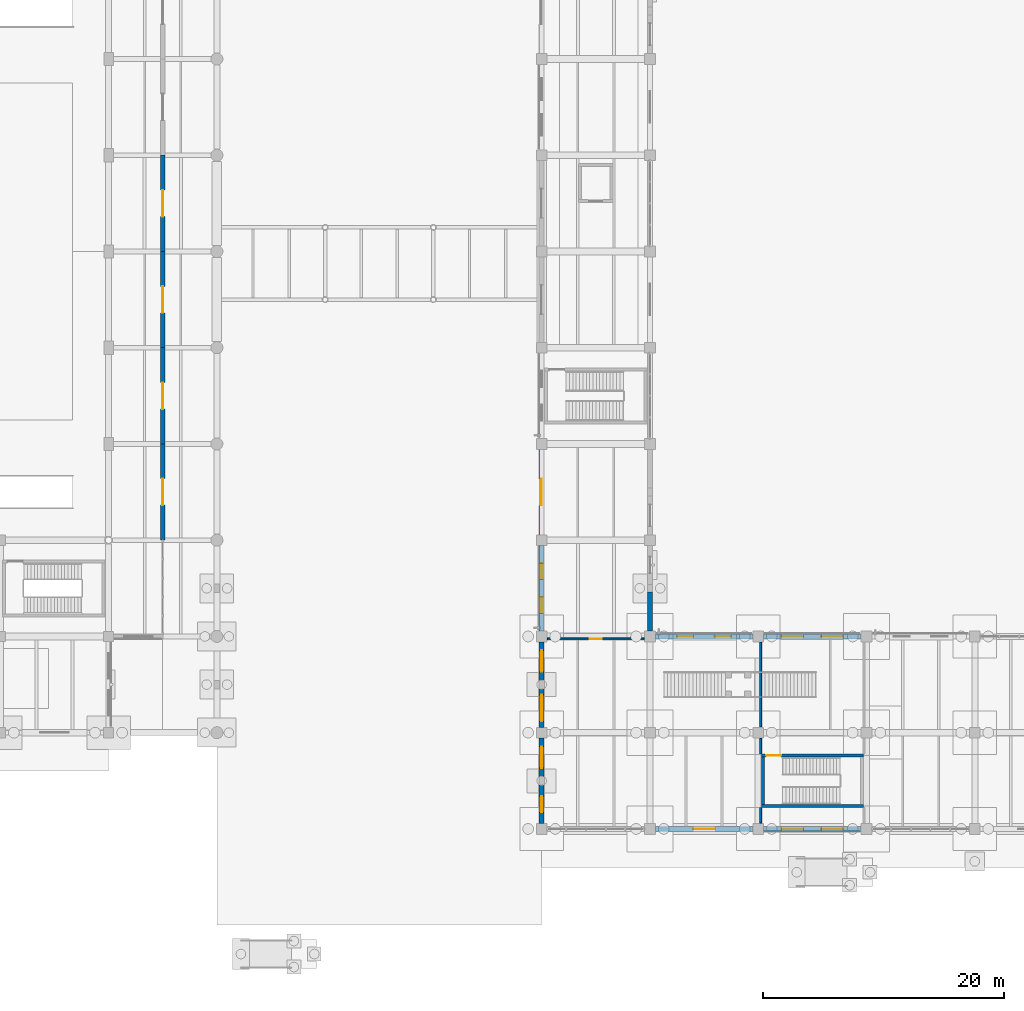
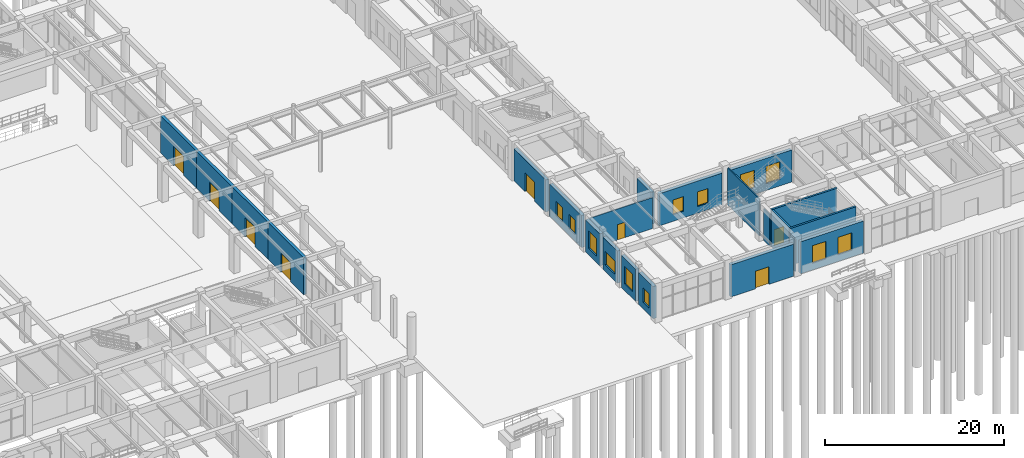
# One storey, part 91 of 121: 22 walls, 12 windows, 8 doors, 20 openings.
"""IFC4 building model written with IfcOpenShell, lengths in metres."""

from ifc_helpers import new_model, si_unit, derived_unit, direction, frame, frame_2d, origin, place, context, subcontext, project, spatial, rectangle, extrude, material, layer, layer_set, type_object, element, fill, save


model = new_model("IFC4")

# Units and contexts
model_context = context("Model", 3, precision=1e-05, world=origin(), true_north=direction((0.0, 1.0)))
body_context = subcontext(model_context, "Body", "Model", "MODEL_VIEW")
ifc_project = project(units=[si_unit("LENGTHUNIT", "METRE"), si_unit("AREAUNIT", "SQUARE_METRE"), si_unit("VOLUMEUNIT", "CUBIC_METRE"), si_unit("PLANEANGLEUNIT", "RADIAN"), si_unit("MASSUNIT", "GRAM", prefix="KILO"), derived_unit("THERMALTRANSMITTANCEUNIT", [(si_unit("MASSUNIT", "GRAM", prefix="KILO"), 1), (si_unit("TIMEUNIT", "SECOND"), -3), (si_unit("THERMODYNAMICTEMPERATUREUNIT", "KELVIN"), -1)])], contexts=[model_context])

# Site, building, storey
site_placement = place(None, origin())
site = spatial("IfcSite", under=ifc_project, at=site_placement, CompositionType="ELEMENT")
building_placement = place(site_placement, origin())
building = spatial("IfcBuilding", under=site, at=building_placement, Name="Zhenchuan Archway Interchange", CompositionType="ELEMENT")
storey_placement = place(building_placement, origin())
storey = spatial("IfcBuildingStorey", under=building, at=storey_placement, Name="L00", CompositionType="ELEMENT", Elevation=0.0)

# Wall, openings, windows
ifc_material_1 = material(Name="Granite Stone Cladding", Category="masonry")
ifc_layer_1 = layer(ifc_material_1, 0.419921875)
ifc_layer_set_1 = layer_set([ifc_layer_1], Name="Granite Stone Cladding")
wall_type_1 = type_object("IfcWallType", Name="EW_GRANITE_420", PredefinedType="STANDARD", material=ifc_layer_set_1)
wall_1_placement = place(storey_placement, frame((125.552001953125, 8.0, 0.0), z_axis=(0.0, 0.0, 1.0), x_axis=(-1.0, 0.0, 0.0)))
wall_1 = element("IfcWall", 1, at=wall_1_placement, inside=storey, type_object=wall_type_1, Name="Exterior wall L00-082", PredefinedType="STANDARD", context=body_context, shape_type="SweptSolid", body=[
    extrude(rectangle(XDim=8.10400390625, YDim=0.419921875, at=frame_2d((4.052001953125, 0.0))), origin(), (0.0, 0.0, 1.0), 4.3798828125),
])
opening_1_placement = place(wall_1_placement, frame((1.501220703125, 0.0, 0.89990234375)))
opening_1 = element("IfcOpeningElement", 2, at=opening_1_placement, cuts=wall_1, Name="Opening W-03", PredefinedType="OPENING", context=body_context, shape_type="SweptSolid", body=[
    extrude(rectangle(XDim=1.800048828125, YDim=2.39990234375, at=frame_2d((0.89990234375, 1.199951171875))), frame((0.0, 0.221923828125, 0.0), z_axis=(0.0, -1.0, 0.0), x_axis=(1.0, 0.0, 0.0)), (0.0, 0.0, 1.0), 0.44384765625),
])
opening_2_placement = place(wall_1_placement, frame((4.802734375, 0.0, 0.89990234375)))
opening_2 = element("IfcOpeningElement", 3, at=opening_2_placement, cuts=wall_1, Name="Opening W-03", PredefinedType="OPENING", context=body_context, shape_type="SweptSolid", body=[
    extrude(rectangle(XDim=1.800048828125, YDim=2.39990234375, at=frame_2d((0.89990234375, 1.199951171875))), frame((0.0, 0.221923828125, 0.0), z_axis=(0.0, -1.0, 0.0), x_axis=(1.0, 0.0, 0.0)), (0.0, 0.0, 1.0), 0.44384765625),
])
ifc_material_2 = material(Name="Double Low-E Insulated Glazing", Category="glass")
window_type_1 = type_object("IfcWindowType", Name="WN_PUNCH_1800x2400", PartitioningType="SINGLE_PANEL", PredefinedType="WINDOW", material=ifc_material_2)
window_1_placement = place(opening_1_placement, origin())
window_1 = element("IfcWindow", 4, at=window_1_placement, inside=storey, type_object=window_type_1, Name="Window L00-0063", OverallHeight=2.39990234375, OverallWidth=1.800048828125, PartitioningType="SINGLE_PANEL", PredefinedType="WINDOW", context=body_context, shape_type="SweptSolid", body=[
    extrude(rectangle(XDim=1.800048828125, YDim=2.39990234375, at=frame_2d((0.89990234375, 1.199951171875))), frame((0.0, 0.030029296875, 0.0), z_axis=(0.0, -1.0, 0.0), x_axis=(1.0, 0.0, 0.0)), (0.0, 0.0, 1.0), 0.06005859375),
])
fill(opening_1, window_1)
window_2_placement = place(opening_2_placement, origin())
window_2 = element("IfcWindow", 5, at=window_2_placement, inside=storey, type_object=window_type_1, Name="Window L00-0064", OverallHeight=2.39990234375, OverallWidth=1.800048828125, PartitioningType="SINGLE_PANEL", PredefinedType="WINDOW", context=body_context, shape_type="SweptSolid", body=[
    extrude(rectangle(XDim=1.800048828125, YDim=2.39990234375, at=frame_2d((0.89990234375, 1.199951171875))), frame((0.0, 0.030029296875, 0.0), z_axis=(0.0, -1.0, 0.0), x_axis=(1.0, 0.0, 0.0)), (0.0, 0.0, 1.0), 0.06005859375),
])
fill(opening_2, window_2)

# Wall, opening, door
wall_2_placement = place(storey_placement, frame((116.552001953125, 8.0, 0.0), z_axis=(0.0, 0.0, 1.0), x_axis=(-1.0, 0.0, 0.0)))
wall_2 = element("IfcWall", 6, at=wall_2_placement, inside=storey, type_object=wall_type_1, Name="Exterior wall L00-083", PredefinedType="STANDARD", context=body_context, shape_type="SweptSolid", body=[
    extrude(rectangle(XDim=8.10400390625, YDim=0.419921875, at=frame_2d((4.052001953125, 0.0))), origin(), (0.0, 0.0, 1.0), 4.3798828125),
])
opening_3_placement = place(wall_2_placement, frame((3.152099609375, 0.0, 0.0)))
opening_3 = element("IfcOpeningElement", 7, at=opening_3_placement, cuts=wall_2, Name="Opening ED-04", PredefinedType="OPENING", context=body_context, shape_type="SweptSolid", body=[
    extrude(rectangle(XDim=1.800048828125, YDim=2.39990234375, at=frame_2d((0.89990234375, 1.199951171875))), frame((0.0, 0.221923828125, 0.0), z_axis=(0.0, -1.0, 0.0), x_axis=(1.0, 0.0, 0.0)), (0.0, 0.0, 1.0), 0.44384765625),
])
ifc_material_3 = material(Name="Anodised Aluminium", Category="aluminium")
door_type_1 = type_object("IfcDoorType", Name="ED_ENT_1800x2400", OperationType="DOUBLE_DOOR_SINGLE_SWING", PredefinedType="DOOR", material=ifc_material_3)
door_1_placement = place(opening_3_placement, origin())
door_1 = element("IfcDoor", 8, at=door_1_placement, inside=storey, type_object=door_type_1, Name="Exterior entrance door L00-032", OperationType="SINGLE_SWING_LEFT", OverallHeight=2.39990234375, OverallWidth=1.800048828125, PredefinedType="DOOR", context=body_context, shape_type="SweptSolid", body=[
    extrude(rectangle(XDim=1.800048828125, YDim=2.39990234375, at=frame_2d((0.89990234375, 1.199951171875))), frame((0.0, 0.02490234375, 0.0), z_axis=(0.0, -1.0, 0.0), x_axis=(1.0, 0.0, 0.0)), (0.0, 0.0, 1.0), 0.050048828125),
])
fill(opening_3, door_1)

# Wall, opening, window
wall_3_placement = place(storey_placement, frame((99.0, 8.447998046875, 0.0), z_axis=(0.0, 0.0, 1.0), x_axis=(0.0, 1.0, 0.0)))
wall_3 = element("IfcWall", 9, at=wall_3_placement, inside=storey, type_object=wall_type_1, Name="Exterior wall L00-085", PredefinedType="STANDARD", context=body_context, shape_type="SweptSolid", body=[
    extrude(rectangle(XDim=3.2041015625, YDim=0.419921875, at=frame_2d((1.60205078125, 0.0))), origin(), (0.0, 0.0, 1.0), 4.3798828125),
])
opening_4_placement = place(wall_3_placement, frame((0.927001953125, 0.0, 0.89990234375)))
opening_4 = element("IfcOpeningElement", 10, at=opening_4_placement, cuts=wall_3, Name="Opening W-06", PredefinedType="OPENING", context=body_context, shape_type="SweptSolid", body=[
    extrude(rectangle(XDim=1.35009765625, YDim=2.0, at=frame_2d((0.675048828125, 1.0))), frame((0.0, 0.221923828125, 0.0), z_axis=(0.0, -1.0, 0.0), x_axis=(1.0, 0.0, 0.0)), (0.0, 0.0, 1.0), 0.44384765625),
])
window_type_2 = type_object("IfcWindowType", Name="WN_MOD_1350x2000", PartitioningType="SINGLE_PANEL", PredefinedType="WINDOW", material=ifc_material_2)
window_3_placement = place(opening_4_placement, origin())
window_3 = element("IfcWindow", 11, at=window_3_placement, inside=storey, type_object=window_type_2, Name="Window L00-0065", OverallHeight=2.0, OverallWidth=1.35009765625, PartitioningType="SINGLE_PANEL", PredefinedType="WINDOW", context=body_context, shape_type="SweptSolid", body=[
    extrude(rectangle(XDim=1.35009765625, YDim=2.0, at=frame_2d((0.675048828125, 1.0))), frame((0.0, 0.030029296875, 0.0), z_axis=(0.0, -1.0, 0.0), x_axis=(1.0, 0.0, 0.0)), (0.0, 0.0, 1.0), 0.06005859375),
])
fill(opening_4, window_3)

wall_4_placement = place(storey_placement, frame((99.0, 12.347900390625, 0.0), z_axis=(0.0, 0.0, 1.0), x_axis=(0.0, 1.0, 0.0)))
wall_4 = element("IfcWall", 12, at=wall_4_placement, inside=storey, type_object=wall_type_1, Name="Exterior wall L00-086", PredefinedType="STANDARD", context=body_context, shape_type="SweptSolid", body=[
    extrude(rectangle(XDim=3.2041015625, YDim=0.419921875, at=frame_2d((1.60205078125, 0.0))), origin(), (0.0, 0.0, 1.0), 4.3798828125),
])
opening_5_placement = place(wall_4_placement, frame((0.701904296875, 0.0, 0.89990234375)))
opening_5 = element("IfcOpeningElement", 13, at=opening_5_placement, cuts=wall_4, Name="Opening W-03", PredefinedType="OPENING", context=body_context, shape_type="SweptSolid", body=[
    extrude(rectangle(XDim=1.800048828125, YDim=2.39990234375, at=frame_2d((0.89990234375, 1.199951171875))), frame((0.0, 0.221923828125, 0.0), z_axis=(0.0, -1.0, 0.0), x_axis=(1.0, 0.0, 0.0)), (0.0, 0.0, 1.0), 0.44384765625),
])
window_4_placement = place(opening_5_placement, origin())
window_4 = element("IfcWindow", 14, at=window_4_placement, inside=storey, type_object=window_type_1, Name="Window L00-0066", OverallHeight=2.39990234375, OverallWidth=1.800048828125, PartitioningType="SINGLE_PANEL", PredefinedType="WINDOW", context=body_context, shape_type="SweptSolid", body=[
    extrude(rectangle(XDim=1.800048828125, YDim=2.39990234375, at=frame_2d((0.89990234375, 1.199951171875))), frame((0.0, 0.030029296875, 0.0), z_axis=(0.0, -1.0, 0.0), x_axis=(1.0, 0.0, 0.0)), (0.0, 0.0, 1.0), 0.06005859375),
])
fill(opening_5, window_4)

wall_5_placement = place(storey_placement, frame((99.0, 16.447998046875, 0.0), z_axis=(0.0, 0.0, 1.0), x_axis=(0.0, 1.0, 0.0)))
wall_5 = element("IfcWall", 15, at=wall_5_placement, inside=storey, type_object=wall_type_1, Name="Exterior wall L00-087", PredefinedType="STANDARD", context=body_context, shape_type="SweptSolid", body=[
    extrude(rectangle(XDim=3.2041015625, YDim=0.419921875, at=frame_2d((1.60205078125, 0.0))), origin(), (0.0, 0.0, 1.0), 4.3798828125),
])
opening_6_placement = place(wall_5_placement, frame((0.501953125, 0.0, 0.89990234375)))
opening_6 = element("IfcOpeningElement", 16, at=opening_6_placement, cuts=wall_5, Name="Opening W-08", PredefinedType="OPENING", context=body_context, shape_type="SweptSolid", body=[
    extrude(rectangle(XDim=2.199951171875, YDim=1.800048828125, at=frame_2d((1.10009765625, 0.89990234375))), frame((0.0, 0.221923828125, 0.0), z_axis=(0.0, -1.0, 0.0), x_axis=(1.0, 0.0, 0.0)), (0.0, 0.0, 1.0), 0.44384765625),
])
window_type_3 = type_object("IfcWindowType", Name="WN_MOD_2200x1800", PartitioningType="SINGLE_PANEL", PredefinedType="WINDOW", material=ifc_material_2)
window_5_placement = place(opening_6_placement, origin())
window_5 = element("IfcWindow", 17, at=window_5_placement, inside=storey, type_object=window_type_3, Name="Window L00-0067", OverallHeight=1.800048828125, OverallWidth=2.199951171875, PartitioningType="SINGLE_PANEL", PredefinedType="WINDOW", context=body_context, shape_type="SweptSolid", body=[
    extrude(rectangle(XDim=2.199951171875, YDim=1.800048828125, at=frame_2d((1.10009765625, 0.89990234375))), frame((0.0, 0.030029296875, 0.0), z_axis=(0.0, -1.0, 0.0), x_axis=(1.0, 0.0, 0.0)), (0.0, 0.0, 1.0), 0.06005859375),
])
fill(opening_6, window_5)

wall_6_placement = place(storey_placement, frame((99.0, 20.347900390625, 0.0), z_axis=(0.0, 0.0, 1.0), x_axis=(0.0, 1.0, 0.0)))
wall_6 = element("IfcWall", 18, at=wall_6_placement, inside=storey, type_object=wall_type_1, Name="Exterior wall L00-088", PredefinedType="STANDARD", context=body_context, shape_type="SweptSolid", body=[
    extrude(rectangle(XDim=3.2041015625, YDim=0.419921875, at=frame_2d((1.60205078125, 0.0))), origin(), (0.0, 0.0, 1.0), 4.3798828125),
])
opening_7_placement = place(wall_6_placement, frame((0.701904296875, 0.0, 0.89990234375)))
opening_7 = element("IfcOpeningElement", 19, at=opening_7_placement, cuts=wall_6, Name="Opening W-03", PredefinedType="OPENING", context=body_context, shape_type="SweptSolid", body=[
    extrude(rectangle(XDim=1.800048828125, YDim=2.39990234375, at=frame_2d((0.89990234375, 1.199951171875))), frame((0.0, 0.221923828125, 0.0), z_axis=(0.0, -1.0, 0.0), x_axis=(1.0, 0.0, 0.0)), (0.0, 0.0, 1.0), 0.44384765625),
])
window_6_placement = place(opening_7_placement, origin())
window_6 = element("IfcWindow", 20, at=window_6_placement, inside=storey, type_object=window_type_1, Name="Window L00-0068", OverallHeight=2.39990234375, OverallWidth=1.800048828125, PartitioningType="SINGLE_PANEL", PredefinedType="WINDOW", context=body_context, shape_type="SweptSolid", body=[
    extrude(rectangle(XDim=1.800048828125, YDim=2.39990234375, at=frame_2d((0.89990234375, 1.199951171875))), frame((0.0, 0.030029296875, 0.0), z_axis=(0.0, -1.0, 0.0), x_axis=(1.0, 0.0, 0.0)), (0.0, 0.0, 1.0), 0.06005859375),
])
fill(opening_7, window_6)

# Wall, openings, windows
wall_7_placement = place(storey_placement, frame((99.0, 24.447998046875, 0.0), z_axis=(0.0, 0.0, 1.0), x_axis=(0.0, 1.0, 0.0)))
wall_7 = element("IfcWall", 21, at=wall_7_placement, inside=storey, type_object=wall_type_1, Name="Exterior wall L00-089", PredefinedType="STANDARD", context=body_context, shape_type="SweptSolid", body=[
    extrude(rectangle(XDim=7.10400390625, YDim=0.419921875, at=frame_2d((3.552001953125, 0.0))), origin(), (0.0, 0.0, 1.0), 4.3798828125),
])
opening_8_placement = place(wall_7_placement, frame((1.468017578125, 0.0, 0.89990234375)))
opening_8 = element("IfcOpeningElement", 22, at=opening_8_placement, cuts=wall_7, Name="Opening W-06", PredefinedType="OPENING", context=body_context, shape_type="SweptSolid", body=[
    extrude(rectangle(XDim=1.35009765625, YDim=2.0, at=frame_2d((0.675048828125, 1.0))), frame((0.0, 0.221923828125, 0.0), z_axis=(0.0, -1.0, 0.0), x_axis=(1.0, 0.0, 0.0)), (0.0, 0.0, 1.0), 0.44384765625),
])
opening_9_placement = place(wall_7_placement, frame((4.285888671875, 0.0, 0.89990234375)))
opening_9 = element("IfcOpeningElement", 23, at=opening_9_placement, cuts=wall_7, Name="Opening W-06", PredefinedType="OPENING", context=body_context, shape_type="SweptSolid", body=[
    extrude(rectangle(XDim=1.35009765625, YDim=2.0, at=frame_2d((0.675048828125, 1.0))), frame((0.0, 0.221923828125, 0.0), z_axis=(0.0, -1.0, 0.0), x_axis=(1.0, 0.0, 0.0)), (0.0, 0.0, 1.0), 0.44384765625),
])
window_7_placement = place(opening_8_placement, origin())
window_7 = element("IfcWindow", 24, at=window_7_placement, inside=storey, type_object=window_type_2, Name="Window L00-0069", OverallHeight=2.0, OverallWidth=1.35009765625, PartitioningType="SINGLE_PANEL", PredefinedType="WINDOW", context=body_context, shape_type="SweptSolid", body=[
    extrude(rectangle(XDim=1.35009765625, YDim=2.0, at=frame_2d((0.675048828125, 1.0))), frame((0.0, 0.030029296875, 0.0), z_axis=(0.0, -1.0, 0.0), x_axis=(1.0, 0.0, 0.0)), (0.0, 0.0, 1.0), 0.06005859375),
])
fill(opening_8, window_7)
window_8_placement = place(opening_9_placement, origin())
window_8 = element("IfcWindow", 25, at=window_8_placement, inside=storey, type_object=window_type_2, Name="Window L00-0070", OverallHeight=2.0, OverallWidth=1.35009765625, PartitioningType="SINGLE_PANEL", PredefinedType="WINDOW", context=body_context, shape_type="SweptSolid", body=[
    extrude(rectangle(XDim=1.35009765625, YDim=2.0, at=frame_2d((0.675048828125, 1.0))), frame((0.0, 0.030029296875, 0.0), z_axis=(0.0, -1.0, 0.0), x_axis=(1.0, 0.0, 0.0)), (0.0, 0.0, 1.0), 0.06005859375),
])
fill(opening_9, window_8)

# Wall, opening, door
wall_8_placement = place(storey_placement, frame((99.0, 32.447998046875, 0.0), z_axis=(0.0, 0.0, 1.0), x_axis=(0.0, 1.0, 0.0)))
wall_8 = element("IfcWall", 26, at=wall_8_placement, inside=storey, type_object=wall_type_1, Name="Exterior wall L00-090", PredefinedType="STANDARD", context=body_context, shape_type="SweptSolid", body=[
    extrude(rectangle(XDim=7.10400390625, YDim=0.419921875, at=frame_2d((3.552001953125, 0.0))), origin(), (0.0, 0.0, 1.0), 4.3798828125),
])
opening_10_placement = place(wall_8_placement, frame((2.451904296875, 0.0, 0.0)))
opening_10 = element("IfcOpeningElement", 27, at=opening_10_placement, cuts=wall_8, Name="Opening ED-02", PredefinedType="OPENING", context=body_context, shape_type="SweptSolid", body=[
    extrude(rectangle(XDim=2.199951171875, YDim=2.60009765625, at=frame_2d((1.10009765625, 1.300048828125))), frame((0.0, 0.221923828125, 0.0), z_axis=(0.0, -1.0, 0.0), x_axis=(1.0, 0.0, 0.0)), (0.0, 0.0, 1.0), 0.44384765625),
])
door_type_2 = type_object("IfcDoorType", Name="ED_CONC_2200x2600", OperationType="DOUBLE_DOOR_SINGLE_SWING", PredefinedType="DOOR", material=ifc_material_3)
door_2_placement = place(opening_10_placement, origin())
door_2 = element("IfcDoor", 28, at=door_2_placement, inside=storey, type_object=door_type_2, Name="Exterior entrance door L00-033", OperationType="SINGLE_SWING_LEFT", OverallHeight=2.60009765625, OverallWidth=2.199951171875, PredefinedType="DOOR", context=body_context, shape_type="SweptSolid", body=[
    extrude(rectangle(XDim=2.199951171875, YDim=2.60009765625, at=frame_2d((1.10009765625, 1.300048828125))), frame((0.0, 0.02490234375, 0.0), z_axis=(0.0, -1.0, 0.0), x_axis=(1.0, 0.0, 0.0)), (0.0, 0.0, 1.0), 0.050048828125),
])
fill(opening_10, door_2)

# Wall
wall_9_placement = place(storey_placement, frame((108.0, 27.677001953125, 0.0), z_axis=(0.0, 0.0, 1.0), x_axis=(0.0, -1.0, 0.0)))
element("IfcWall", 29, at=wall_9_placement, inside=storey, type_object=wall_type_1, Name="Exterior wall L00-126", PredefinedType="STANDARD", context=body_context, shape_type="SweptSolid", body=[
    extrude(rectangle(XDim=3.22900390625, YDim=0.419921875, at=frame_2d((1.614501953125, 0.0))), origin(), (0.0, 0.0, 1.0), 4.3798828125),
])

# Wall, openings, windows
wall_10_placement = place(storey_placement, frame((108.447998046875, 24.0, 0.0), z_axis=(0.0, 0.0, 1.0), x_axis=(1.0, 0.0, 0.0)))
wall_10 = element("IfcWall", 30, at=wall_10_placement, inside=storey, type_object=wall_type_1, Name="Exterior wall L00-127", PredefinedType="STANDARD", context=body_context, shape_type="SweptSolid", body=[
    extrude(rectangle(XDim=8.10400390625, YDim=0.419921875, at=frame_2d((4.052001953125, 0.0))), origin(), (0.0, 0.0, 1.0), 4.3798828125),
])
opening_11_placement = place(wall_10_placement, frame((1.80126953125, 0.0, 0.89990234375)))
opening_11 = element("IfcOpeningElement", 31, at=opening_11_placement, cuts=wall_10, Name="Opening W-06", PredefinedType="OPENING", context=body_context, shape_type="SweptSolid", body=[
    extrude(rectangle(XDim=1.35009765625, YDim=2.0, at=frame_2d((0.675048828125, 1.0))), frame((0.0, 0.221923828125, 0.0), z_axis=(0.0, -1.0, 0.0), x_axis=(1.0, 0.0, 0.0)), (0.0, 0.0, 1.0), 0.44384765625),
])
opening_12_placement = place(wall_10_placement, frame((4.95263671875, 0.0, 0.89990234375)))
opening_12 = element("IfcOpeningElement", 32, at=opening_12_placement, cuts=wall_10, Name="Opening W-06", PredefinedType="OPENING", context=body_context, shape_type="SweptSolid", body=[
    extrude(rectangle(XDim=1.35009765625, YDim=2.0, at=frame_2d((0.675048828125, 1.0))), frame((0.0, 0.221923828125, 0.0), z_axis=(0.0, -1.0, 0.0), x_axis=(1.0, 0.0, 0.0)), (0.0, 0.0, 1.0), 0.44384765625),
])
window_9_placement = place(opening_11_placement, origin())
window_9 = element("IfcWindow", 33, at=window_9_placement, inside=storey, type_object=window_type_2, Name="Window L00-0102", OverallHeight=2.0, OverallWidth=1.35009765625, PartitioningType="SINGLE_PANEL", PredefinedType="WINDOW", context=body_context, shape_type="SweptSolid", body=[
    extrude(rectangle(XDim=1.35009765625, YDim=2.0, at=frame_2d((0.675048828125, 1.0))), frame((0.0, 0.030029296875, 0.0), z_axis=(0.0, -1.0, 0.0), x_axis=(1.0, 0.0, 0.0)), (0.0, 0.0, 1.0), 0.06005859375),
])
fill(opening_11, window_9)
window_10_placement = place(opening_12_placement, origin())
window_10 = element("IfcWindow", 34, at=window_10_placement, inside=storey, type_object=window_type_2, Name="Window L00-0103", OverallHeight=2.0, OverallWidth=1.35009765625, PartitioningType="SINGLE_PANEL", PredefinedType="WINDOW", context=body_context, shape_type="SweptSolid", body=[
    extrude(rectangle(XDim=1.35009765625, YDim=2.0, at=frame_2d((0.675048828125, 1.0))), frame((0.0, 0.030029296875, 0.0), z_axis=(0.0, -1.0, 0.0), x_axis=(1.0, 0.0, 0.0)), (0.0, 0.0, 1.0), 0.06005859375),
])
fill(opening_12, window_10)

wall_11_placement = place(storey_placement, frame((117.447998046875, 24.0, 0.0), z_axis=(0.0, 0.0, 1.0), x_axis=(1.0, 0.0, 0.0)))
wall_11 = element("IfcWall", 35, at=wall_11_placement, inside=storey, type_object=wall_type_1, Name="Exterior wall L00-128", PredefinedType="STANDARD", context=body_context, shape_type="SweptSolid", body=[
    extrude(rectangle(XDim=8.10400390625, YDim=0.419921875, at=frame_2d((4.052001953125, 0.0))), origin(), (0.0, 0.0, 1.0), 4.3798828125),
])
opening_13_placement = place(wall_11_placement, frame((1.501220703125, 0.0, 0.89990234375)))
opening_13 = element("IfcOpeningElement", 36, at=opening_13_placement, cuts=wall_11, Name="Opening W-03", PredefinedType="OPENING", context=body_context, shape_type="SweptSolid", body=[
    extrude(rectangle(XDim=1.800048828125, YDim=2.39990234375, at=frame_2d((0.89990234375, 1.199951171875))), frame((0.0, 0.221923828125, 0.0), z_axis=(0.0, -1.0, 0.0), x_axis=(1.0, 0.0, 0.0)), (0.0, 0.0, 1.0), 0.44384765625),
])
opening_14_placement = place(wall_11_placement, frame((4.802734375, 0.0, 0.89990234375)))
opening_14 = element("IfcOpeningElement", 37, at=opening_14_placement, cuts=wall_11, Name="Opening W-03", PredefinedType="OPENING", context=body_context, shape_type="SweptSolid", body=[
    extrude(rectangle(XDim=1.800048828125, YDim=2.39990234375, at=frame_2d((0.89990234375, 1.199951171875))), frame((0.0, 0.221923828125, 0.0), z_axis=(0.0, -1.0, 0.0), x_axis=(1.0, 0.0, 0.0)), (0.0, 0.0, 1.0), 0.44384765625),
])
window_11_placement = place(opening_13_placement, origin())
window_11 = element("IfcWindow", 38, at=window_11_placement, inside=storey, type_object=window_type_1, Name="Window L00-0104", OverallHeight=2.39990234375, OverallWidth=1.800048828125, PartitioningType="SINGLE_PANEL", PredefinedType="WINDOW", context=body_context, shape_type="SweptSolid", body=[
    extrude(rectangle(XDim=1.800048828125, YDim=2.39990234375, at=frame_2d((0.89990234375, 1.199951171875))), frame((0.0, 0.030029296875, 0.0), z_axis=(0.0, -1.0, 0.0), x_axis=(1.0, 0.0, 0.0)), (0.0, 0.0, 1.0), 0.06005859375),
])
fill(opening_13, window_11)
window_12_placement = place(opening_14_placement, origin())
window_12 = element("IfcWindow", 39, at=window_12_placement, inside=storey, type_object=window_type_1, Name="Window L00-0105", OverallHeight=2.39990234375, OverallWidth=1.800048828125, PartitioningType="SINGLE_PANEL", PredefinedType="WINDOW", context=body_context, shape_type="SweptSolid", body=[
    extrude(rectangle(XDim=1.800048828125, YDim=2.39990234375, at=frame_2d((0.89990234375, 1.199951171875))), frame((0.0, 0.030029296875, 0.0), z_axis=(0.0, -1.0, 0.0), x_axis=(1.0, 0.0, 0.0)), (0.0, 0.0, 1.0), 0.06005859375),
])
fill(opening_14, window_12)

# Wall, opening, door
ifc_material_4 = material(Name="Terracotta Masonry", Category="masonry")
ifc_layer_2 = layer(ifc_material_4, 0.360107421875)
ifc_layer_set_2 = layer_set([ifc_layer_2], Name="Terracotta Masonry")
wall_type_2 = type_object("IfcWallType", Name="EW_TERRA_360", PredefinedType="STANDARD", material=ifc_layer_set_2)
wall_12_placement = place(storey_placement, frame((67.5, 64.0, 0.0), z_axis=(0.0, 0.0, 1.0), x_axis=(0.0, -1.0, 0.0)))
wall_12 = element("IfcWall", 40, at=wall_12_placement, inside=storey, type_object=wall_type_2, Name="Exterior wall L00-035", PredefinedType="STANDARD", context=body_context, shape_type="SweptSolid", body=[
    extrude(rectangle(XDim=8.001953125, YDim=0.360107421875, at=frame_2d((4.0009765625, 0.0))), origin(), (0.0, 0.0, 1.0), 5.06005859375),
])
opening_15_placement = place(wall_12_placement, frame((2.90087890625, 0.0, 0.0)))
opening_15 = element("IfcOpeningElement", 41, at=opening_15_placement, cuts=wall_12, Name="Opening ED-02", PredefinedType="OPENING", context=body_context, shape_type="SweptSolid", body=[
    extrude(rectangle(XDim=2.199951171875, YDim=2.60009765625, at=frame_2d((1.10009765625, 1.300048828125))), frame((0.0, 0.19189453125, 0.0), z_axis=(0.0, -1.0, 0.0), x_axis=(1.0, 0.0, 0.0)), (0.0, 0.0, 1.0), 0.384033203125),
])
door_3_placement = place(opening_15_placement, origin())
door_3 = element("IfcDoor", 42, at=door_3_placement, inside=storey, type_object=door_type_2, Name="Exterior entrance door L00-015", OperationType="SINGLE_SWING_LEFT", OverallHeight=2.60009765625, OverallWidth=2.199951171875, PredefinedType="DOOR", context=body_context, shape_type="SweptSolid", body=[
    extrude(rectangle(XDim=2.199951171875, YDim=2.60009765625, at=frame_2d((1.10009765625, 1.300048828125))), frame((0.0, 0.02490234375, 0.0), z_axis=(0.0, -1.0, 0.0), x_axis=(1.0, 0.0, 0.0)), (0.0, 0.0, 1.0), 0.050048828125),
])
fill(opening_15, door_3)

wall_13_placement = place(storey_placement, frame((67.5, 56.0, 0.0), z_axis=(0.0, 0.0, 1.0), x_axis=(0.0, -1.0, 0.0)))
wall_13 = element("IfcWall", 43, at=wall_13_placement, inside=storey, type_object=wall_type_2, Name="Exterior wall L00-036", PredefinedType="STANDARD", context=body_context, shape_type="SweptSolid", body=[
    extrude(rectangle(XDim=8.001953125, YDim=0.360107421875, at=frame_2d((4.0009765625, 0.0))), origin(), (0.0, 0.0, 1.0), 5.06005859375),
])
opening_16_placement = place(wall_13_placement, frame((2.90087890625, 0.0, 0.0)))
opening_16 = element("IfcOpeningElement", 44, at=opening_16_placement, cuts=wall_13, Name="Opening ED-02", PredefinedType="OPENING", context=body_context, shape_type="SweptSolid", body=[
    extrude(rectangle(XDim=2.199951171875, YDim=2.60009765625, at=frame_2d((1.10009765625, 1.300048828125))), frame((0.0, 0.19189453125, 0.0), z_axis=(0.0, -1.0, 0.0), x_axis=(1.0, 0.0, 0.0)), (0.0, 0.0, 1.0), 0.384033203125),
])
door_4_placement = place(opening_16_placement, origin())
door_4 = element("IfcDoor", 45, at=door_4_placement, inside=storey, type_object=door_type_2, Name="Exterior entrance door L00-016", OperationType="SINGLE_SWING_LEFT", OverallHeight=2.60009765625, OverallWidth=2.199951171875, PredefinedType="DOOR", context=body_context, shape_type="SweptSolid", body=[
    extrude(rectangle(XDim=2.199951171875, YDim=2.60009765625, at=frame_2d((1.10009765625, 1.300048828125))), frame((0.0, 0.02490234375, 0.0), z_axis=(0.0, -1.0, 0.0), x_axis=(1.0, 0.0, 0.0)), (0.0, 0.0, 1.0), 0.050048828125),
])
fill(opening_16, door_4)

wall_14_placement = place(storey_placement, frame((67.5, 48.0, 0.0), z_axis=(0.0, 0.0, 1.0), x_axis=(0.0, -1.0, 0.0)))
wall_14 = element("IfcWall", 46, at=wall_14_placement, inside=storey, type_object=wall_type_2, Name="Exterior wall L00-037", PredefinedType="STANDARD", context=body_context, shape_type="SweptSolid", body=[
    extrude(rectangle(XDim=8.001953125, YDim=0.360107421875, at=frame_2d((4.0009765625, 0.0))), origin(), (0.0, 0.0, 1.0), 5.06005859375),
])
opening_17_placement = place(wall_14_placement, frame((2.90087890625, 0.0, 0.0)))
opening_17 = element("IfcOpeningElement", 47, at=opening_17_placement, cuts=wall_14, Name="Opening ED-02", PredefinedType="OPENING", context=body_context, shape_type="SweptSolid", body=[
    extrude(rectangle(XDim=2.199951171875, YDim=2.60009765625, at=frame_2d((1.10009765625, 1.300048828125))), frame((0.0, 0.19189453125, 0.0), z_axis=(0.0, -1.0, 0.0), x_axis=(1.0, 0.0, 0.0)), (0.0, 0.0, 1.0), 0.384033203125),
])
door_5_placement = place(opening_17_placement, origin())
door_5 = element("IfcDoor", 48, at=door_5_placement, inside=storey, type_object=door_type_2, Name="Exterior entrance door L00-017", OperationType="SINGLE_SWING_LEFT", OverallHeight=2.60009765625, OverallWidth=2.199951171875, PredefinedType="DOOR", context=body_context, shape_type="SweptSolid", body=[
    extrude(rectangle(XDim=2.199951171875, YDim=2.60009765625, at=frame_2d((1.10009765625, 1.300048828125))), frame((0.0, 0.02490234375, 0.0), z_axis=(0.0, -1.0, 0.0), x_axis=(1.0, 0.0, 0.0)), (0.0, 0.0, 1.0), 0.050048828125),
])
fill(opening_17, door_5)

wall_15_placement = place(storey_placement, frame((67.5, 40.0, 0.0), z_axis=(0.0, 0.0, 1.0), x_axis=(0.0, -1.0, 0.0)))
wall_15 = element("IfcWall", 49, at=wall_15_placement, inside=storey, type_object=wall_type_2, Name="Exterior wall L00-038", PredefinedType="STANDARD", context=body_context, shape_type="SweptSolid", body=[
    extrude(rectangle(XDim=7.97509765625, YDim=0.360107421875, at=frame_2d((3.987548828125, 0.0))), origin(), (0.0, 0.0, 1.0), 5.06005859375),
])
opening_18_placement = place(wall_15_placement, frame((2.887451171875, 0.0, 0.0)))
opening_18 = element("IfcOpeningElement", 50, at=opening_18_placement, cuts=wall_15, Name="Opening ED-02", PredefinedType="OPENING", context=body_context, shape_type="SweptSolid", body=[
    extrude(rectangle(XDim=2.199951171875, YDim=2.60009765625, at=frame_2d((1.10009765625, 1.300048828125))), frame((0.0, 0.19189453125, 0.0), z_axis=(0.0, -1.0, 0.0), x_axis=(1.0, 0.0, 0.0)), (0.0, 0.0, 1.0), 0.384033203125),
])
door_6_placement = place(opening_18_placement, origin())
door_6 = element("IfcDoor", 51, at=door_6_placement, inside=storey, type_object=door_type_2, Name="Exterior entrance door L00-018", OperationType="SINGLE_SWING_LEFT", OverallHeight=2.60009765625, OverallWidth=2.199951171875, PredefinedType="DOOR", context=body_context, shape_type="SweptSolid", body=[
    extrude(rectangle(XDim=2.199951171875, YDim=2.60009765625, at=frame_2d((1.10009765625, 1.300048828125))), frame((0.0, 0.02490234375, 0.0), z_axis=(0.0, -1.0, 0.0), x_axis=(1.0, 0.0, 0.0)), (0.0, 0.0, 1.0), 0.050048828125),
])
fill(opening_18, door_6)

ifc_material_5 = material(Name="Gypsum Plasterboard", Category="gypsum")
ifc_layer_3 = layer(ifc_material_5, 0.14990234375)
ifc_layer_set_3 = layer_set([ifc_layer_3], Name="Gypsum Plasterboard")
wall_type_3 = type_object("IfcWallType", Name="WL_PART_150", PredefinedType="STANDARD", material=ifc_layer_set_3)
wall_16_placement = place(storey_placement, frame((99.47509765625, 23.800048828125, 0.0), z_axis=(0.0, 0.0, 1.0), x_axis=(1.0, 0.0, 0.0)))
wall_16 = element("IfcWall", 52, at=wall_16_placement, inside=storey, type_object=wall_type_3, Name="South Avenue Passenger Service Centre N partition (L00)", PredefinedType="STANDARD", context=body_context, shape_type="SweptSolid", body=[
    extrude(rectangle(XDim=8.0498046875, YDim=0.14990234375, at=frame_2d((4.02490234375, 0.0))), origin(), (0.0, 0.0, 1.0), 4.22998046875),
])
opening_19_placement = place(wall_16_placement, frame((3.52490234375, 0.0, 0.0)))
opening_19 = element("IfcOpeningElement", 53, at=opening_19_placement, cuts=wall_16, Name="Opening ID-02", PredefinedType="OPENING", context=body_context, shape_type="SweptSolid", body=[
    extrude(rectangle(XDim=1.0, YDim=2.10009765625, at=frame_2d((0.5, 1.050048828125))), frame((0.0, 0.0869140625, 0.0), z_axis=(0.0, -1.0, 0.0), x_axis=(1.0, 0.0, 0.0)), (0.0, 0.0, 1.0), 0.173828125),
])
ifc_material_6 = material(Name="Hardwood Timber", Category="wood")
door_type_3 = type_object("IfcDoorType", Name="DR_OPS_100", OperationType="NOTDEFINED", PredefinedType="DOOR", material=ifc_material_6)
door_7_placement = place(opening_19_placement, origin())
door_7 = element("IfcDoor", 54, at=door_7_placement, inside=storey, type_object=door_type_3, Name="South Avenue Passenger Service Centre door (L00)", OperationType="SINGLE_SWING_RIGHT", OverallHeight=2.10009765625, OverallWidth=1.0, PredefinedType="DOOR", context=body_context, shape_type="SweptSolid", body=[
    extrude(rectangle(XDim=1.0, YDim=2.10009765625, at=frame_2d((0.5, 1.050048828125))), frame((0.0, 0.02490234375, 0.0), z_axis=(0.0, -1.0, 0.0), x_axis=(1.0, 0.0, 0.0)), (0.0, 0.0, 1.0), 0.050048828125),
])
fill(opening_19, door_7)

# Walls
for number, where, z_axis, x_axis, name in (
    (55, (117.199951171875, 8.47509765625, 0.0), (0.0, 0.0, 1.0), (0.0, 1.0, 0.0), "South Avenue Passenger Service Centre E partition (L00)"),
    (56, (117.199951171875, 14.235107421875, 0.0), (0.0, 0.0, 1.0), (0.0, 1.0, 0.0), "South Avenue Passenger Service Centre E partition (L00)"),
):
    element("IfcWall", number, at=place(storey_placement, frame(where, z_axis=z_axis, x_axis=x_axis)), inside=storey, type_object=wall_type_3, Name=name, PredefinedType="STANDARD", context=body_context, shape_type="SweptSolid", body=[
        extrude(rectangle(XDim=1.289794921875, YDim=0.14990234375, at=frame_2d((0.64501953125, 0.0))), origin(), (0.0, 0.0, 1.0), 4.330078125),
    ])
wall_17_placement = place(storey_placement, frame((117.199951171875, 16.47509765625, 0.0), z_axis=(0.0, 0.0, 1.0), x_axis=(0.0, 1.0, 0.0)))
element("IfcWall", 57, at=wall_17_placement, inside=storey, type_object=wall_type_3, Name="South Avenue Passenger Service Centre E partition (L00)", PredefinedType="STANDARD", context=body_context, shape_type="SweptSolid", body=[
    extrude(rectangle(XDim=7.0498046875, YDim=0.14990234375, at=frame_2d((3.52490234375, 0.0))), origin(), (0.0, 0.0, 1.0), 5.050048828125),
])
ifc_material_7 = material(Name="Concrete C40", Category="concrete")
ifc_layer_4 = layer(ifc_material_7, 0.25)
ifc_layer_set_4 = layer_set([ifc_layer_4], Name="Concrete C40")
wall_type_4 = type_object("IfcWallType", Name="WL_STAIR_250", PredefinedType="SHEAR", material=ifc_layer_set_4)
wall_18_placement = place(storey_placement, frame((117.2548828125, 9.89990234375, 0.0), z_axis=(0.0, 0.0, 1.0), x_axis=(1.0, 0.0, 0.0)))
element("IfcWall", 58, at=wall_18_placement, inside=storey, type_object=wall_type_4, Name="Stair ST-O5 south wall (L00)", PredefinedType="SHEAR", context=body_context, shape_type="SweptSolid", body=[
    extrude(rectangle(XDim=8.490234375, YDim=0.25, at=frame_2d((4.2451171875, 0.0))), origin(), (0.0, 0.0, 1.0), 5.050048828125),
])

# Wall, opening, door
wall_19_placement = place(storey_placement, frame((125.7451171875, 14.10009765625, 0.0), z_axis=(0.0, 0.0, 1.0), x_axis=(-1.0, 0.0, 0.0)))
wall_19 = element("IfcWall", 59, at=wall_19_placement, inside=storey, type_object=wall_type_4, Name="Stair ST-O5 north wall (L00)", PredefinedType="SHEAR", context=body_context, shape_type="SweptSolid", body=[
    extrude(rectangle(XDim=8.490234375, YDim=0.25, at=frame_2d((4.2451171875, 0.0))), origin(), (0.0, 0.0, 1.0), 5.050048828125),
])
opening_20_placement = place(wall_19_placement, frame((6.8349609375, 0.0, 0.0)))
opening_20 = element("IfcOpeningElement", 60, at=opening_20_placement, cuts=wall_19, Name="Opening FD-01", PredefinedType="OPENING", context=body_context, shape_type="SweptSolid", body=[
    extrude(rectangle(XDim=1.25, YDim=2.14990234375, at=frame_2d((0.625, 1.074951171875))), frame((0.0, 0.136962890625, 0.0), z_axis=(0.0, -1.0, 0.0), x_axis=(1.0, 0.0, 0.0)), (0.0, 0.0, 1.0), 0.27392578125),
])
ifc_material_8 = material(Name="Painted Galvanised Steel", Category="steel")
door_type_4 = type_object("IfcDoorType", Name="DR_STAIR_FD90", OperationType="NOTDEFINED", PredefinedType="DOOR", material=ifc_material_8)
door_8_placement = place(opening_20_placement, frame((1.25, 0.0, 0.0), z_axis=(0.0, 0.0, 1.0), x_axis=(-1.0, 0.0, 0.0)))
door_8 = element("IfcDoor", 61, at=door_8_placement, inside=storey, type_object=door_type_4, Name="Stair ST-O5 fire door (L00)", OperationType="SINGLE_SWING_LEFT", OverallHeight=2.14990234375, OverallWidth=1.25, PredefinedType="DOOR", context=body_context, shape_type="SweptSolid", body=[
    extrude(rectangle(XDim=1.25, YDim=2.14990234375, at=frame_2d((0.625, 1.074951171875))), frame((0.0, 0.02490234375, 0.0), z_axis=(0.0, -1.0, 0.0), x_axis=(1.0, 0.0, 0.0)), (0.0, 0.0, 1.0), 0.050048828125),
])
fill(opening_20, door_8)

# Wall
wall_20_placement = place(storey_placement, frame((117.3798828125, 13.97509765625, 0.0), z_axis=(0.0, 0.0, 1.0), x_axis=(0.0, -1.0, 0.0)))
element("IfcWall", 62, at=wall_20_placement, inside=storey, type_object=wall_type_4, Name="Stair ST-O5 west wall (L00)", PredefinedType="SHEAR", context=body_context, shape_type="SweptSolid", body=[
    extrude(rectangle(XDim=3.9501953125, YDim=0.25, at=frame_2d((1.97509765625, 0.0))), origin(), (0.0, 0.0, 1.0), 5.050048828125),
])

save(model, "model.ifc")
